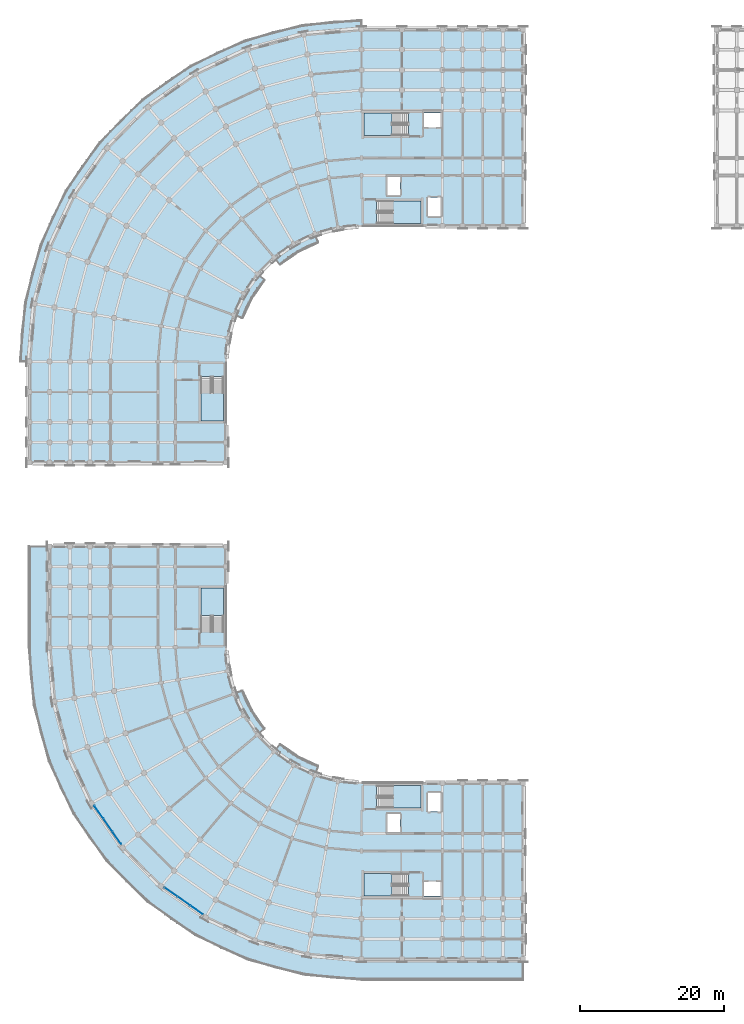
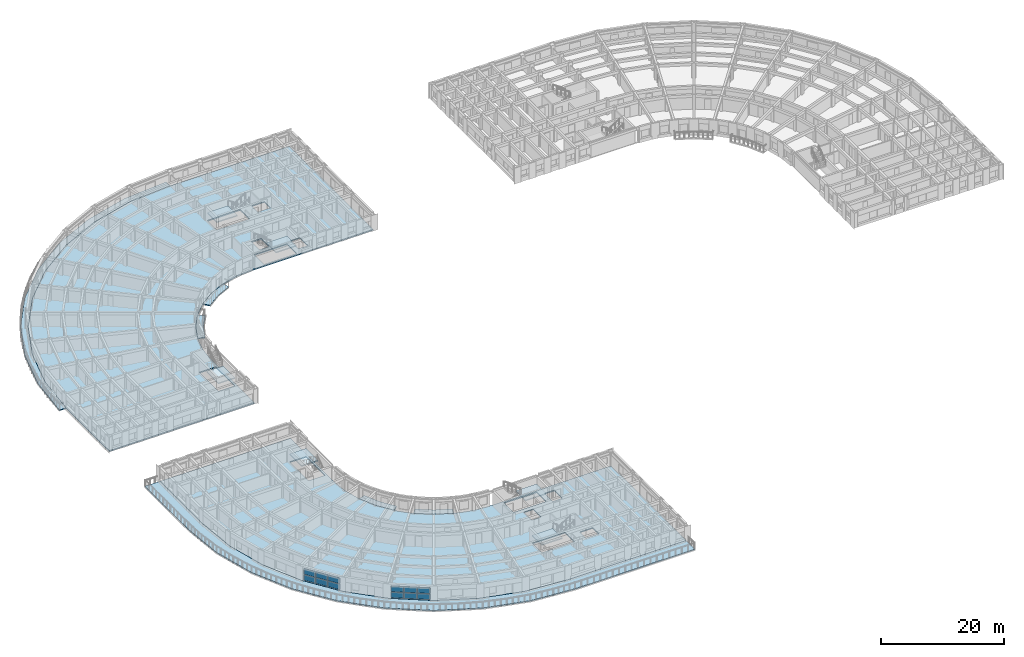
# One storey, part 15 of 57: 14 slabs, 12 plates, 8 elements without a shape of their own.
"""IFC4 building model written with IfcOpenShell, lengths in metres."""

from ifc_helpers import new_model, si_unit, direction, frame, origin, origin_2d, place, context, subcontext, project, spatial, polyline, rectangle, outline, extrude, material, layer, layer_set, type_object, element, aggregate, save


model = new_model("IFC4")

# Units and contexts
model_context = context("Model", 3, precision=1e-05, world=origin(), true_north=direction((0.0, 1.0)))
body_context = subcontext(model_context, "Body", "Model", "MODEL_VIEW")
ifc_project = project(units=[si_unit("LENGTHUNIT", "METRE"), si_unit("AREAUNIT", "SQUARE_METRE"), si_unit("VOLUMEUNIT", "CUBIC_METRE"), si_unit("PLANEANGLEUNIT", "RADIAN"), si_unit("MASSUNIT", "GRAM", prefix="KILO")], contexts=[model_context])

# Site, building, storey
site_placement = place(None, origin())
site = spatial("IfcSite", under=ifc_project, at=site_placement, CompositionType="ELEMENT")
building_placement = place(site_placement, origin())
building = spatial("IfcBuilding", under=site, at=building_placement, Name="Kiranvali Square Residences", CompositionType="ELEMENT")
storey_placement = place(building_placement, frame((0.0, 0.0, 21.300048828125)))
storey = spatial("IfcBuildingStorey", under=building, at=storey_placement, Name="L06", CompositionType="ELEMENT", Elevation=21.300048828125)

# Curtain wall, plates
ifc_material_1 = material(Name="Anodised bronze aluminium framing", Category="aluminium")
curtain_wall_type = type_object("IfcCurtainWallType", Name="CW-RES-LOG", PredefinedType="USERDEFINED", material=ifc_material_1)
curtain_wall_1_placement = place(storey_placement, origin())
curtain_wall_1 = element("IfcCurtainWall", 1, at=curtain_wall_1_placement, inside=storey, type_object=curtain_wall_type, Name="Block C L06 stepped curved terrace loggia 4", ObjectType="CURTAIN WALL", PredefinedType="USERDEFINED")
ifc_material_2 = material(Name="Solar-control low-e double glazing", Category="glass")
ifc_layer_1 = layer(ifc_material_2, 0.028076171875)
ifc_layer_set_1 = layer_set([ifc_layer_1], Name="Solar-control low-e double glazing")
plate_type = type_object("IfcPlateType", Name="PLT-CW-GLZ", PredefinedType="CURTAIN_PANEL", material=ifc_layer_set_1)
plate_1_placement = place(storey_placement, frame((25.3623046875, 11.80078125, 0.079833984375), z_axis=(0.0, 0.0, 1.0), x_axis=(-0.819152044289, 0.573576436351, 0.0)))
plate_1 = element("IfcPlate", 2, at=plate_1_placement, type_object=plate_type, Name="CW-C-L06-TER-03 glazed panel 1.1", PredefinedType="CURTAIN_PANEL", context=body_context, shape_type="SweptSolid", body=[
    extrude(rectangle(XDim=2.090087890625, YDim=0.028076171875, at=origin_2d()), origin(), (0.0, 0.0, 1.0), 1.1201171875),
])
plate_2_placement = place(storey_placement, frame((25.3623046875, 11.80078125, 1.27978515625), z_axis=(0.0, 0.0, 1.0), x_axis=(-0.819152044289, 0.573576436351, 0.0)))
plate_2 = element("IfcPlate", 3, at=plate_2_placement, type_object=plate_type, Name="CW-C-L06-TER-03 glazed panel 1.2", PredefinedType="CURTAIN_PANEL", context=body_context, shape_type="SweptSolid", body=[
    extrude(rectangle(XDim=2.090087890625, YDim=0.028076171875, at=origin_2d()), origin(), (0.0, 0.0, 1.0), 1.1201171875),
])
plate_3_placement = place(storey_placement, frame((23.584716796875, 13.045654296875, 0.079833984375), z_axis=(0.0, 0.0, 1.0), x_axis=(-0.819152044289, 0.573576436351, 0.0)))
plate_3 = element("IfcPlate", 4, at=plate_3_placement, type_object=plate_type, Name="CW-C-L06-TER-03 glazed panel 2.1", PredefinedType="CURTAIN_PANEL", context=body_context, shape_type="SweptSolid", body=[
    extrude(rectangle(XDim=2.090087890625, YDim=0.028076171875, at=origin_2d()), origin(), (0.0, 0.0, 1.0), 1.1201171875),
])
plate_4_placement = place(storey_placement, frame((23.584716796875, 13.045654296875, 1.27978515625), z_axis=(0.0, 0.0, 1.0), x_axis=(-0.819152044289, 0.573576436351, 0.0)))
plate_4 = element("IfcPlate", 5, at=plate_4_placement, type_object=plate_type, Name="CW-C-L06-TER-03 glazed panel 2.2", PredefinedType="CURTAIN_PANEL", context=body_context, shape_type="SweptSolid", body=[
    extrude(rectangle(XDim=2.090087890625, YDim=0.028076171875, at=origin_2d()), origin(), (0.0, 0.0, 1.0), 1.1201171875),
])
plate_5_placement = place(storey_placement, frame((21.806884765625, 14.290283203125, 0.079833984375), z_axis=(0.0, 0.0, 1.0), x_axis=(-0.819152044289, 0.573576436351, 0.0)))
plate_5 = element("IfcPlate", 6, at=plate_5_placement, type_object=plate_type, Name="CW-C-L06-TER-03 glazed panel 3.1", PredefinedType="CURTAIN_PANEL", context=body_context, shape_type="SweptSolid", body=[
    extrude(rectangle(XDim=2.090087890625, YDim=0.028076171875, at=origin_2d()), origin(), (0.0, 0.0, 1.0), 1.1201171875),
])
plate_6_placement = place(storey_placement, frame((21.806884765625, 14.290283203125, 1.27978515625), z_axis=(0.0, 0.0, 1.0), x_axis=(-0.819152044289, 0.573576436351, 0.0)))
plate_6 = element("IfcPlate", 7, at=plate_6_placement, type_object=plate_type, Name="CW-C-L06-TER-03 glazed panel 3.2", PredefinedType="CURTAIN_PANEL", context=body_context, shape_type="SweptSolid", body=[
    extrude(rectangle(XDim=2.090087890625, YDim=0.028076171875, at=origin_2d()), origin(), (0.0, 0.0, 1.0), 1.1201171875),
])
aggregate(curtain_wall_1, [plate_1, plate_2, plate_3, plate_4, plate_5, plate_6])

curtain_wall_2_placement = place(storey_placement, origin())
curtain_wall_2 = element("IfcCurtainWall", 8, at=curtain_wall_2_placement, inside=storey, type_object=curtain_wall_type, Name="Block C L06 stepped curved terrace loggia 6", ObjectType="CURTAIN WALL", PredefinedType="USERDEFINED")
plate_7_placement = place(storey_placement, frame((14.290283203125, 21.806884765625, 0.079833984375), z_axis=(0.0, 0.0, 1.0), x_axis=(-0.573576436351, 0.819152044289, 0.0)))
plate_7 = element("IfcPlate", 9, at=plate_7_placement, type_object=plate_type, Name="CW-C-L06-TER-05 glazed panel 1.1", PredefinedType="CURTAIN_PANEL", context=body_context, shape_type="SweptSolid", body=[
    extrude(rectangle(XDim=2.090087890625, YDim=0.028076171875, at=origin_2d()), origin(), (0.0, 0.0, 1.0), 1.1201171875),
])
plate_8_placement = place(storey_placement, frame((14.290283203125, 21.806884765625, 1.27978515625), z_axis=(0.0, 0.0, 1.0), x_axis=(-0.573576436351, 0.819152044289, 0.0)))
plate_8 = element("IfcPlate", 10, at=plate_8_placement, type_object=plate_type, Name="CW-C-L06-TER-05 glazed panel 1.2", PredefinedType="CURTAIN_PANEL", context=body_context, shape_type="SweptSolid", body=[
    extrude(rectangle(XDim=2.090087890625, YDim=0.028076171875, at=origin_2d()), origin(), (0.0, 0.0, 1.0), 1.1201171875),
])
plate_9_placement = place(storey_placement, frame((13.045654296875, 23.584716796875, 0.079833984375), z_axis=(0.0, 0.0, 1.0), x_axis=(-0.573576436351, 0.819152044289, 0.0)))
plate_9 = element("IfcPlate", 11, at=plate_9_placement, type_object=plate_type, Name="CW-C-L06-TER-05 glazed panel 2.1", PredefinedType="CURTAIN_PANEL", context=body_context, shape_type="SweptSolid", body=[
    extrude(rectangle(XDim=2.090087890625, YDim=0.028076171875, at=origin_2d()), origin(), (0.0, 0.0, 1.0), 1.1201171875),
])
plate_10_placement = place(storey_placement, frame((13.045654296875, 23.584716796875, 1.27978515625), z_axis=(0.0, 0.0, 1.0), x_axis=(-0.573576436351, 0.819152044289, 0.0)))
plate_10 = element("IfcPlate", 12, at=plate_10_placement, type_object=plate_type, Name="CW-C-L06-TER-05 glazed panel 2.2", PredefinedType="CURTAIN_PANEL", context=body_context, shape_type="SweptSolid", body=[
    extrude(rectangle(XDim=2.090087890625, YDim=0.028076171875, at=origin_2d()), origin(), (0.0, 0.0, 1.0), 1.1201171875),
])
plate_11_placement = place(storey_placement, frame((11.80078125, 25.3623046875, 0.079833984375), z_axis=(0.0, 0.0, 1.0), x_axis=(-0.573576436351, 0.819152044289, 0.0)))
plate_11 = element("IfcPlate", 13, at=plate_11_placement, type_object=plate_type, Name="CW-C-L06-TER-05 glazed panel 3.1", PredefinedType="CURTAIN_PANEL", context=body_context, shape_type="SweptSolid", body=[
    extrude(rectangle(XDim=2.090087890625, YDim=0.028076171875, at=origin_2d()), origin(), (0.0, 0.0, 1.0), 1.1201171875),
])
plate_12_placement = place(storey_placement, frame((11.80078125, 25.3623046875, 1.27978515625), z_axis=(0.0, 0.0, 1.0), x_axis=(-0.573576436351, 0.819152044289, 0.0)))
plate_12 = element("IfcPlate", 14, at=plate_12_placement, type_object=plate_type, Name="CW-C-L06-TER-05 glazed panel 3.2", PredefinedType="CURTAIN_PANEL", context=body_context, shape_type="SweptSolid", body=[
    extrude(rectangle(XDim=2.090087890625, YDim=0.028076171875, at=origin_2d()), origin(), (0.0, 0.0, 1.0), 1.1201171875),
])
aggregate(curtain_wall_2, [plate_7, plate_8, plate_9, plate_10, plate_11, plate_12])

# Slabs
ifc_material_3 = material(Name="Concrete M35 (35 MPa)", Category="concrete")
ifc_layer_2 = layer(ifc_material_3, 0.179931640625)
ifc_layer_set_2 = layer_set([ifc_layer_2], Name="Concrete M35 (35 MPa)")
slab_type_1 = type_object("IfcSlabType", Name="SLB-BAL-180", PredefinedType="FLOOR", material=ifc_layer_set_2)
slab_1_placement = place(storey_placement, frame((0.0, 0.0, -0.179931640625)))
element("IfcSlab", 15, at=slab_1_placement, inside=storey, type_object=slab_type_1, Name="Block A L06 continuous curved corner balcony slab", PredefinedType="FLOOR", context=body_context, shape_type="SweptSolid", body=[
    extrude(outline(polyline([(48.199951171875, 135.050048828125), (39.9951171875, 134.332275390625), (32.03955078125, 132.200439453125), (24.574951171875, 128.7197265625), (17.828369140625, 123.99560546875), (12.00439453125, 118.171630859375), (7.2802734375, 111.425048828125), (3.799560546875, 103.96044921875), (1.667724609375, 96.0048828125), (0.949951171875, 87.800048828125), (2.199951171875, 87.800048828125), (2.89892578125, 95.787841796875), (4.97412109375, 103.532958984375), (8.36279296875, 110.800048828125), (12.9619140625, 117.3681640625), (18.6318359375, 123.0380859375), (25.199951171875, 127.63720703125), (32.467041015625, 131.02587890625), (40.212158203125, 133.10107421875), (48.199951171875, 133.800048828125), (48.199951171875, 135.050048828125)])), origin(), (0.0, 0.0, 1.0), 0.179931640625),
])
ifc_layer_3 = layer(ifc_material_3, 0.219970703125)
ifc_layer_set_3 = layer_set([ifc_layer_3], Name="Concrete M35 (35 MPa)")
slab_type_2 = type_object("IfcSlabType", Name="SLB-FLR-220", PredefinedType="FLOOR", material=ifc_layer_set_3)
slab_2_placement = place(storey_placement, frame((0.0, 0.0, -0.219970703125)))
element("IfcSlab", 16, at=slab_2_placement, inside=storey, type_object=slab_type_2, Name="Block A L06 structural floor slab", PredefinedType="FLOOR", context=body_context, shape_type="SweptSolid", body=[
    extrude(outline(polyline([(70.60009765625, 106.60009765625), (70.60009765625, 133.800048828125), (48.199951171875, 133.800048828125), (40.212158203125, 133.10107421875), (32.467041015625, 131.02587890625), (25.199951171875, 127.63720703125), (18.6318359375, 123.0380859375), (12.9619140625, 117.3681640625), (8.36279296875, 110.800048828125), (4.97412109375, 103.532958984375), (2.89892578125, 95.787841796875), (2.199951171875, 87.800048828125), (2.199951171875, 73.800048828125), (29.39990234375, 73.800048828125), (29.39990234375, 87.800048828125), (29.685546875, 91.064697265625), (30.53369140625, 94.22998046875), (31.918701171875, 97.199951171875), (33.79833984375, 99.884521484375), (36.115478515625, 102.20166015625), (38.800048828125, 104.081298828125), (41.77001953125, 105.46630859375), (44.935302734375, 106.314453125), (48.199951171875, 106.60009765625), (70.60009765625, 106.60009765625)]), holes=[polyline([(56.800048828125, 120.25), (59.25, 120.25), (59.25, 122.25), (56.800048828125, 122.25), (56.800048828125, 120.25)]), polyline([(57.35009765625, 107.949951171875), (59.14990234375, 107.949951171875), (59.14990234375, 110.550048828125), (57.35009765625, 110.550048828125), (57.35009765625, 107.949951171875)]), polyline([(51.75, 110.85009765625), (53.550048828125, 110.85009765625), (53.550048828125, 113.449951171875), (51.75, 113.449951171875), (51.75, 110.85009765625)]), polyline([(54.699951171875, 122.25), (48.550048828125, 122.25), (48.550048828125, 119.14990234375), (54.699951171875, 119.14990234375), (54.699951171875, 122.25)]), polyline([(50.300048828125, 106.949951171875), (56.449951171875, 106.949951171875), (56.449951171875, 110.050048828125), (50.300048828125, 110.050048828125), (50.300048828125, 106.949951171875)]), polyline([(25.949951171875, 85.699951171875), (25.949951171875, 79.550048828125), (29.050048828125, 79.550048828125), (29.050048828125, 85.699951171875), (25.949951171875, 85.699951171875)])]), origin(), (0.0, 0.0, 1.0), 0.219970703125),
])
slab_3_placement = place(storey_placement, frame((0.0, 0.0, -0.219970703125)))
element("IfcSlab", 17, at=slab_3_placement, inside=storey, type_object=slab_type_2, Name="Block C L06 structural floor slab", PredefinedType="FLOOR", context=body_context, shape_type="SweptSolid", body=[
    extrude(outline(polyline([(48.199951171875, 29.39990234375), (44.935302734375, 29.685546875), (41.77001953125, 30.53369140625), (38.800048828125, 31.918701171875), (36.115478515625, 33.79833984375), (33.79833984375, 36.115478515625), (31.918701171875, 38.800048828125), (30.53369140625, 41.77001953125), (29.685546875, 44.935302734375), (29.39990234375, 48.199951171875), (29.39990234375, 62.199951171875), (5.0, 62.199951171875), (5.0, 48.199951171875), (5.65625, 40.698486328125), (7.605224609375, 33.4248046875), (10.78759765625, 26.60009765625), (15.10693359375, 20.431640625), (20.431640625, 15.10693359375), (26.60009765625, 10.78759765625), (33.4248046875, 7.605224609375), (40.698486328125, 5.65625), (48.199951171875, 5.0), (70.60009765625, 5.0), (70.60009765625, 29.39990234375), (48.199951171875, 29.39990234375)]), holes=[polyline([(56.800048828125, 13.75), (59.25, 13.75), (59.25, 15.75), (56.800048828125, 15.75), (56.800048828125, 13.75)]), polyline([(57.35009765625, 25.449951171875), (59.14990234375, 25.449951171875), (59.14990234375, 28.050048828125), (57.35009765625, 28.050048828125), (57.35009765625, 25.449951171875)]), polyline([(51.75, 22.550048828125), (53.550048828125, 22.550048828125), (53.550048828125, 25.14990234375), (51.75, 25.14990234375), (51.75, 22.550048828125)]), polyline([(54.699951171875, 16.85009765625), (48.550048828125, 16.85009765625), (48.550048828125, 13.75), (54.699951171875, 13.75), (54.699951171875, 16.85009765625)]), polyline([(50.300048828125, 25.949951171875), (56.449951171875, 25.949951171875), (56.449951171875, 29.050048828125), (50.300048828125, 29.050048828125), (50.300048828125, 25.949951171875)]), polyline([(29.050048828125, 50.300048828125), (29.050048828125, 56.449951171875), (25.949951171875, 56.449951171875), (25.949951171875, 50.300048828125), (29.050048828125, 50.300048828125)])]), origin(), (0.0, 0.0, 1.0), 0.219970703125),
])
ifc_layer_4 = layer(ifc_material_3, 0.169921875)
ifc_layer_set_4 = layer_set([ifc_layer_4], Name="Concrete M35 (35 MPa)")
slab_type_3 = type_object("IfcSlabType", Name="SLB-GBAL-170", PredefinedType="FLOOR", material=ifc_layer_set_4)
slab_4_placement = place(storey_placement, frame((0.0, 0.0, -0.179931640625)))
element("IfcSlab", 18, at=slab_4_placement, inside=storey, type_object=slab_type_3, Name="Block A L06 garden balcony slab 1", PredefinedType="FLOOR", context=body_context, shape_type="SweptSolid", body=[
    extrude(outline(polyline([(41.77001953125, 105.46630859375), (38.800048828125, 104.081298828125), (36.115478515625, 102.20166015625), (36.919189453125, 101.244140625), (39.425048828125, 102.998779296875), (42.197509765625, 104.29150390625), (41.77001953125, 105.46630859375)])), origin(), (0.0, 0.0, 1.0), 0.179931640625),
])
slab_5_placement = place(storey_placement, frame((0.0, 0.0, -0.179931640625)))
element("IfcSlab", 19, at=slab_5_placement, inside=storey, type_object=slab_type_3, Name="Block A L06 garden balcony slab 2", PredefinedType="FLOOR", context=body_context, shape_type="SweptSolid", body=[
    extrude(outline(polyline([(33.79833984375, 99.884521484375), (31.918701171875, 97.199951171875), (30.53369140625, 94.22998046875), (31.70849609375, 93.802490234375), (33.001220703125, 96.574951171875), (34.755859375, 99.080810546875), (33.79833984375, 99.884521484375)])), origin(), (0.0, 0.0, 1.0), 0.179931640625),
])
slab_6_placement = place(storey_placement, frame((0.0, 0.0, -0.179931640625)))
element("IfcSlab", 20, at=slab_6_placement, inside=storey, type_object=slab_type_3, Name="Block C L06 garden balcony slab 1", PredefinedType="FLOOR", context=body_context, shape_type="SweptSolid", body=[
    extrude(outline(polyline([(42.197509765625, 31.70849609375), (39.425048828125, 33.001220703125), (36.919189453125, 34.755859375), (36.115478515625, 33.79833984375), (38.800048828125, 31.918701171875), (41.77001953125, 30.53369140625), (42.197509765625, 31.70849609375)])), origin(), (0.0, 0.0, 1.0), 0.179931640625),
])
slab_7_placement = place(storey_placement, frame((0.0, 0.0, -0.179931640625)))
element("IfcSlab", 21, at=slab_7_placement, inside=storey, type_object=slab_type_3, Name="Block C L06 garden balcony slab 2", PredefinedType="FLOOR", context=body_context, shape_type="SweptSolid", body=[
    extrude(outline(polyline([(34.755859375, 36.919189453125), (33.001220703125, 39.425048828125), (31.70849609375, 42.197509765625), (30.53369140625, 41.77001953125), (31.918701171875, 38.800048828125), (33.79833984375, 36.115478515625), (34.755859375, 36.919189453125)])), origin(), (0.0, 0.0, 1.0), 0.179931640625),
])

# Stair, slab
stair_type = type_object("IfcStairType", Name="ST-CORE-1700", PredefinedType="HALF_TURN_STAIR", material=ifc_material_3)
stair_1_placement = place(storey_placement, origin())
stair_1 = element("IfcStair", 22, at=stair_1_placement, inside=storey, type_object=stair_type, Name="L06 Block A Firefighting Exit Stair 1", PredefinedType="HALF_TURN_STAIR")
ifc_layer_5 = layer(ifc_material_3, 0.199951171875)
ifc_layer_set_5 = layer_set([ifc_layer_5], Name="Concrete M35 (35 MPa)")
slab_type_4 = type_object("IfcSlabType", Name="SLB-LND-200", PredefinedType="LANDING", material=ifc_layer_set_5)
slab_8_placement = place(storey_placement, frame((0.0, 0.0, 1.375)))
slab_8 = element("IfcSlab", 23, at=slab_8_placement, type_object=slab_type_4, Name="ST-A1 landing 1", PredefinedType="LANDING", context=body_context, shape_type="SweptSolid", body=[
    extrude(outline(polyline([(52.419921875, 122.25), (48.550048828125, 122.25), (48.550048828125, 119.14990234375), (52.419921875, 119.14990234375), (52.419921875, 122.25)])), origin(), (0.0, 0.0, 1.0), 0.199951171875),
])
aggregate(stair_1, [slab_8])

stair_2_placement = place(storey_placement, origin())
stair_2 = element("IfcStair", 24, at=stair_2_placement, inside=storey, type_object=stair_type, Name="L06 Block A Protected Exit Stair 2", PredefinedType="HALF_TURN_STAIR")
slab_9_placement = place(storey_placement, frame((0.0, 0.0, 1.375)))
slab_9 = element("IfcSlab", 25, at=slab_9_placement, type_object=slab_type_4, Name="ST-A2 landing 1", PredefinedType="LANDING", context=body_context, shape_type="SweptSolid", body=[
    extrude(outline(polyline([(52.580078125, 106.949951171875), (56.449951171875, 106.949951171875), (56.449951171875, 110.050048828125), (52.580078125, 110.050048828125), (52.580078125, 106.949951171875)])), origin(), (0.0, 0.0, 1.0), 0.199951171875),
])
aggregate(stair_2, [slab_9])

stair_3_placement = place(storey_placement, origin())
stair_3 = element("IfcStair", 26, at=stair_3_placement, inside=storey, type_object=stair_type, Name="L06 Block A Wing Protected Exit Stair 3", PredefinedType="HALF_TURN_STAIR")
slab_10_placement = place(storey_placement, frame((0.0, 0.0, 1.375)))
slab_10 = element("IfcSlab", 27, at=slab_10_placement, type_object=slab_type_4, Name="ST-A3 landing 1", PredefinedType="LANDING", context=body_context, shape_type="SweptSolid", body=[
    extrude(outline(polyline([(25.949951171875, 83.419921875), (25.949951171875, 79.550048828125), (29.050048828125, 79.550048828125), (29.050048828125, 83.419921875), (25.949951171875, 83.419921875)])), origin(), (0.0, 0.0, 1.0), 0.199951171875),
])
aggregate(stair_3, [slab_10])

stair_4_placement = place(storey_placement, origin())
stair_4 = element("IfcStair", 28, at=stair_4_placement, inside=storey, type_object=stair_type, Name="L06 Block C Firefighting Exit Stair 1", PredefinedType="HALF_TURN_STAIR")
slab_11_placement = place(storey_placement, frame((0.0, 0.0, 1.375)))
slab_11 = element("IfcSlab", 29, at=slab_11_placement, type_object=slab_type_4, Name="ST-C1 landing 1", PredefinedType="LANDING", context=body_context, shape_type="SweptSolid", body=[
    extrude(outline(polyline([(52.419921875, 16.85009765625), (48.550048828125, 16.85009765625), (48.550048828125, 13.75), (52.419921875, 13.75), (52.419921875, 16.85009765625)])), origin(), (0.0, 0.0, 1.0), 0.199951171875),
])
aggregate(stair_4, [slab_11])

stair_5_placement = place(storey_placement, origin())
stair_5 = element("IfcStair", 30, at=stair_5_placement, inside=storey, type_object=stair_type, Name="L06 Block C Protected Exit Stair 2", PredefinedType="HALF_TURN_STAIR")
slab_12_placement = place(storey_placement, frame((0.0, 0.0, 1.375)))
slab_12 = element("IfcSlab", 31, at=slab_12_placement, type_object=slab_type_4, Name="ST-C2 landing 1", PredefinedType="LANDING", context=body_context, shape_type="SweptSolid", body=[
    extrude(outline(polyline([(52.580078125, 25.949951171875), (56.449951171875, 25.949951171875), (56.449951171875, 29.050048828125), (52.580078125, 29.050048828125), (52.580078125, 25.949951171875)])), origin(), (0.0, 0.0, 1.0), 0.199951171875),
])
aggregate(stair_5, [slab_12])

stair_6_placement = place(storey_placement, origin())
stair_6 = element("IfcStair", 32, at=stair_6_placement, inside=storey, type_object=stair_type, Name="L06 Block C Wing Protected Exit Stair 3", PredefinedType="HALF_TURN_STAIR")
slab_13_placement = place(storey_placement, frame((0.0, 0.0, 1.375)))
slab_13 = element("IfcSlab", 33, at=slab_13_placement, type_object=slab_type_4, Name="ST-C3 landing 1", PredefinedType="LANDING", context=body_context, shape_type="SweptSolid", body=[
    extrude(outline(polyline([(29.050048828125, 52.580078125), (29.050048828125, 56.449951171875), (25.949951171875, 56.449951171875), (25.949951171875, 52.580078125), (29.050048828125, 52.580078125)])), origin(), (0.0, 0.0, 1.0), 0.199951171875),
])
aggregate(stair_6, [slab_13])

# Slab
ifc_layer_6 = layer(ifc_material_3, 0.18994140625)
ifc_layer_set_6 = layer_set([ifc_layer_6], Name="Concrete M35 (35 MPa)")
slab_type_5 = type_object("IfcSlabType", Name="SLB-TER-190", PredefinedType="FLOOR", material=ifc_layer_set_6)
slab_14_placement = place(storey_placement, frame((0.0, 0.0, -0.179931640625)))
element("IfcSlab", 34, at=slab_14_placement, inside=storey, type_object=slab_type_5, Name="Block C L06 stepped curved corner balcony terrace slab", PredefinedType="FLOOR", context=body_context, shape_type="SweptSolid", body=[
    extrude(outline(polyline([(70.60009765625, 5.0), (48.199951171875, 5.0), (40.698486328125, 5.65625), (33.4248046875, 7.605224609375), (26.60009765625, 10.78759765625), (20.431640625, 15.10693359375), (15.10693359375, 20.431640625), (10.78759765625, 26.60009765625), (7.605224609375, 33.4248046875), (5.65625, 40.698486328125), (5.0, 48.199951171875), (5.0, 62.199951171875), (2.199951171875, 62.199951171875), (2.199951171875, 48.199951171875), (2.89892578125, 40.212158203125), (4.97412109375, 32.467041015625), (8.36279296875, 25.199951171875), (12.9619140625, 18.6318359375), (18.6318359375, 12.9619140625), (25.199951171875, 8.36279296875), (32.467041015625, 4.97412109375), (40.212158203125, 2.89892578125), (48.199951171875, 2.199951171875), (70.60009765625, 2.199951171875), (70.60009765625, 5.0)])), origin(), (0.0, 0.0, 1.0), 0.179931640625),
])

save(model, "model.ifc")
